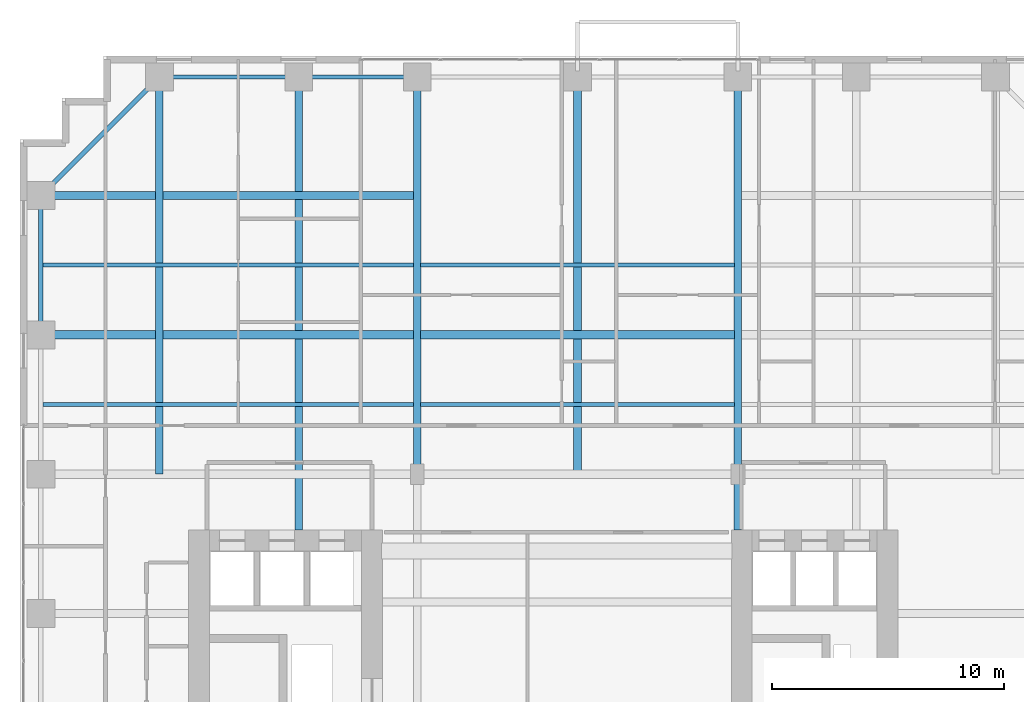
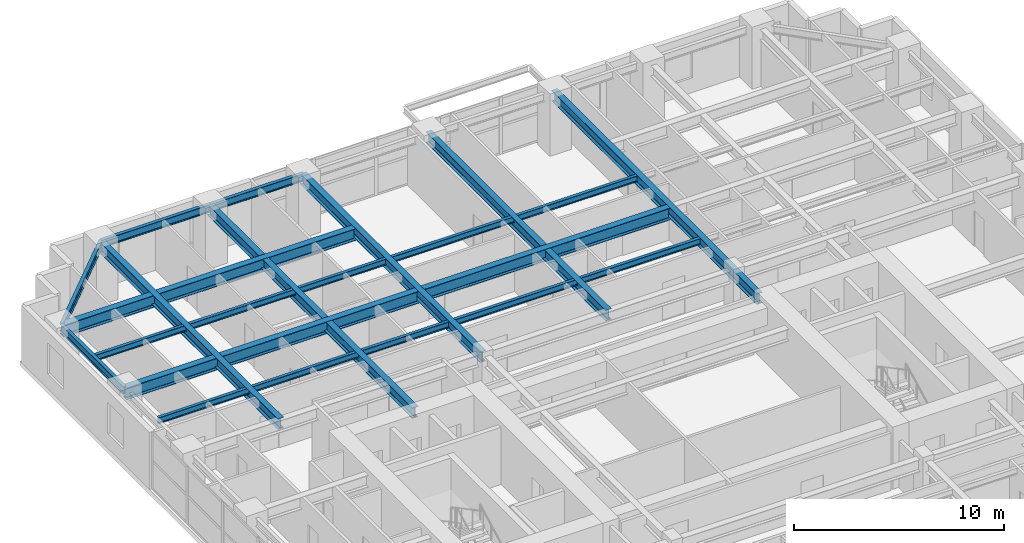
# One storey, part 13 of 24: 16 beams.
"""IFC4 building model written with IfcOpenShell, lengths in metres."""

from ifc_helpers import new_model, si_unit, direction, frame, origin, origin_2d, place, context, subcontext, project, spatial, i_section, extrude, source, transform, mapped, material, material_profile, profile_set, type_object, element, save


model = new_model("IFC4")

# Units and contexts
model_context = context("Model", 3, precision=1e-05, world=origin(), true_north=direction((0.0, 1.0)))
body_context = subcontext(model_context, "Body", "Model", "MODEL_VIEW")
ifc_project = project(units=[si_unit("LENGTHUNIT", "METRE"), si_unit("AREAUNIT", "SQUARE_METRE"), si_unit("VOLUMEUNIT", "CUBIC_METRE"), si_unit("PLANEANGLEUNIT", "RADIAN"), si_unit("MASSUNIT", "GRAM", prefix="KILO")], contexts=[model_context])

# Site, building, storey
site_placement = place(None, origin())
site = spatial("IfcSite", under=ifc_project, at=site_placement, CompositionType="ELEMENT")
building_placement = place(site_placement, origin())
building = spatial("IfcBuilding", under=site, at=building_placement, Name="Khoralis Quay Care Tower", CompositionType="ELEMENT")
storey_placement = place(building_placement, frame((0.0, 0.0, 54.89990234375)))
storey = spatial("IfcBuildingStorey", under=building, at=storey_placement, Name="L14", CompositionType="ELEMENT", Elevation=54.89990234375)

# Beams
ifc_material = material(Name="Steel S355", Category="steel")
ifc_material_profile_1 = material_profile(ifc_material, i_section(OverallWidth=0.18994140625, OverallDepth=0.449951171875, WebThickness=0.009521484375, FlangeThickness=0.0146484375, FilletRadius=0.02099609375, at=origin_2d()), Name="Steel S355")
ifc_profile_set_1 = profile_set([ifc_material_profile_1], Name="Steel S355")
beam_type_1 = type_object("IfcBeamType", Name="BM-IPE450", PredefinedType="SPANDREL", material=ifc_profile_set_1)
shared_shape_1 = source(origin(), body_context, "Body", "SweptSolid", [
    extrude(i_section(OverallWidth=0.18994140625, OverallDepth=0.449951171875, WebThickness=0.009521484375, FlangeThickness=0.0146484375, FilletRadius=0.02099609375, at=origin_2d()), origin(), (0.0, 0.0, 1.0), 6.0),
])
for number, where, z_axis, x_axis, name in (
    (1, (6.0, 47.10009765625, 3.09521484375), (1.0, 0.0, 0.0), (0.0, 1.0, 0.0), "BM-TSP-L14-07"),
    (2, (0.89990234375, 36.0, 3.09521484375), (0.0, 1.0, 0.0), (-1.0, 0.0, 0.0), "BM-TSP-L14-18"),
):
    element("IfcBeam", number, at=place(storey_placement, frame(where, z_axis=z_axis, x_axis=x_axis)), inside=storey, type_object=beam_type_1, Name=name, PredefinedType="SPANDREL", context=body_context, shape_type="MappedRepresentation", body=[
        mapped(shared_shape_1, transform((0.0, 0.0, 0.0), scale=1.0)),
    ])
shared_shape_2 = source(origin(), body_context, "Body", "SweptSolid", [
    extrude(i_section(OverallWidth=0.18994140625, OverallDepth=0.449951171875, WebThickness=0.009521484375, FlangeThickness=0.0146484375, FilletRadius=0.02099609375, at=origin_2d()), origin(), (0.0, 0.0, 1.0), 5.10009765625),
])
beam_1_placement = place(storey_placement, frame((12.0, 47.10009765625, 3.09521484375), z_axis=(1.0, 0.0, 0.0), x_axis=(0.0, 1.0, 0.0)))
element("IfcBeam", 3, at=beam_1_placement, inside=storey, type_object=beam_type_1, Name="BM-TSP-L14-08", PredefinedType="SPANDREL", context=body_context, shape_type="MappedRepresentation", body=[
    mapped(shared_shape_2, transform((0.0, 0.0, 0.0), scale=1.0)),
])
shared_shape_3 = source(origin(), body_context, "Body", "SweptSolid", [
    extrude(i_section(OverallWidth=0.18994140625, OverallDepth=0.449951171875, WebThickness=0.009521484375, FlangeThickness=0.0146484375, FilletRadius=0.02099609375, at=origin_2d()), origin(), (0.0, 0.0, 1.0), 7.212646484375),
])
beam_2_placement = place(storey_placement, frame((6.0, 47.10009765625, 3.09521484375), z_axis=(-0.707106781187, -0.707106781187, 0.0), x_axis=(0.707106781187, -0.707106781187, 0.0)))
element("IfcBeam", 4, at=beam_2_placement, inside=storey, type_object=beam_type_1, Name="BM-TCR-L14-27", PredefinedType="SPANDREL", context=body_context, shape_type="MappedRepresentation", body=[
    mapped(shared_shape_3, transform((0.0, 0.0, 0.0), scale=1.0)),
])
ifc_material_profile_2 = material_profile(ifc_material, i_section(OverallWidth=0.35498046875, OverallDepth=0.695068359375, WebThickness=0.015380859375, FlangeThickness=0.02490234375, FilletRadius=0.02001953125, at=origin_2d()), Name="Steel S355")
ifc_profile_set_2 = profile_set([ifc_material_profile_2], Name="Steel S355")
beam_type_2 = type_object("IfcBeamType", Name="BM-W690X217", PredefinedType="BEAM", material=ifc_profile_set_2)
shared_shape_4 = source(origin(), body_context, "Body", "SweptSolid", [
    extrude(i_section(OverallWidth=0.35498046875, OverallDepth=0.695068359375, WebThickness=0.015380859375, FlangeThickness=0.02490234375, FilletRadius=0.02001953125, at=origin_2d()), origin(), (0.0, 0.0, 1.0), 16.049560546875),
])
for number, where, z_axis, x_axis, name in (
    (5, (0.89990234375, 36.0, 2.97265625), (1.0, 0.0, 0.0), (0.0, 1.0, 0.0), "BM-TGXW-L14-360"),
    (6, (0.89990234375, 42.0, 2.97265625), (1.0, 0.0, 0.0), (0.0, 1.0, 0.0), "BM-TGXW-L14-420"),
):
    element("IfcBeam", number, at=place(storey_placement, frame(where, z_axis=z_axis, x_axis=x_axis)), inside=storey, type_object=beam_type_2, Name=name, PredefinedType="BEAM", context=body_context, shape_type="MappedRepresentation", body=[
        mapped(shared_shape_4, transform((0.0, 0.0, 0.0), scale=1.0)),
    ])
shared_shape_5 = source(origin(), body_context, "Body", "SweptSolid", [
    extrude(i_section(OverallWidth=0.35498046875, OverallDepth=0.695068359375, WebThickness=0.015380859375, FlangeThickness=0.02490234375, FilletRadius=0.02001953125, at=origin_2d()), origin(), (0.0, 0.0, 1.0), 13.4990234375),
])
beam_3_placement = place(storey_placement, frame((17.25048828125, 36.0, 2.97265625), z_axis=(1.0, 0.0, 0.0), x_axis=(0.0, 1.0, 0.0)))
element("IfcBeam", 7, at=beam_3_placement, inside=storey, type_object=beam_type_2, Name="BM-TGCC-L14-360", PredefinedType="BEAM", context=body_context, shape_type="MappedRepresentation", body=[
    mapped(shared_shape_5, transform((0.0, 0.0, 0.0), scale=1.0)),
])
ifc_material_profile_3 = material_profile(ifc_material, i_section(OverallWidth=0.324951171875, OverallDepth=0.615966796875, WebThickness=0.013916015625, FlangeThickness=0.021484375, FilletRadius=0.01806640625, at=origin_2d()), Name="Steel S355")
ifc_profile_set_3 = profile_set([ifc_material_profile_3], Name="Steel S355")
beam_type_3 = type_object("IfcBeamType", Name="BM-W610X174", PredefinedType="BEAM", material=ifc_profile_set_3)
shared_shape_6 = source(origin(), body_context, "Body", "SweptSolid", [
    extrude(i_section(OverallWidth=0.324951171875, OverallDepth=0.615966796875, WebThickness=0.013916015625, FlangeThickness=0.021484375, FilletRadius=0.01806640625, at=origin_2d()), origin(), (0.0, 0.0, 1.0), 17.10009765625),
])
for number, where, z_axis, x_axis, name in (
    (8, (6.0, 30.0, 3.01220703125), (0.0, 1.0, 0.0), (-1.0, 0.0, 0.0), "BM-TGYN-L14-60"),
    (9, (17.10009765625, 30.0, 3.01220703125), (0.0, 1.0, 0.0), (-1.0, 0.0, 0.0), "BM-TGYN-L14-171"),
    (10, (24.0, 30.0, 3.01220703125), (0.0, 1.0, 0.0), (-1.0, 0.0, 0.0), "BM-TGYN-L14-240"),
):
    element("IfcBeam", number, at=place(storey_placement, frame(where, z_axis=z_axis, x_axis=x_axis)), inside=storey, type_object=beam_type_3, Name=name, PredefinedType="BEAM", context=body_context, shape_type="MappedRepresentation", body=[
        mapped(shared_shape_6, transform((0.0, 0.0, 0.0), scale=1.0)),
    ])
shared_shape_7 = source(origin(), body_context, "Body", "SweptSolid", [
    extrude(i_section(OverallWidth=0.324951171875, OverallDepth=0.615966796875, WebThickness=0.013916015625, FlangeThickness=0.021484375, FilletRadius=0.01806640625, at=origin_2d()), origin(), (0.0, 0.0, 1.0), 19.502197265625),
])
for number, where, z_axis, x_axis, name in (
    (11, (12.0, 27.597900390625, 3.01220703125), (0.0, 1.0, 0.0), (-1.0, 0.0, 0.0), "BM-TGYN-L14-120"),
    (12, (30.89990234375, 27.597900390625, 3.01220703125), (0.0, 1.0, 0.0), (-1.0, 0.0, 0.0), "BM-TGYN-L14-309"),
):
    element("IfcBeam", number, at=place(storey_placement, frame(where, z_axis=z_axis, x_axis=x_axis)), inside=storey, type_object=beam_type_3, Name=name, PredefinedType="BEAM", context=body_context, shape_type="MappedRepresentation", body=[
        mapped(shared_shape_7, transform((0.0, 0.0, 0.0), scale=1.0)),
    ])
ifc_material_profile_4 = material_profile(ifc_material, i_section(OverallWidth=0.1708984375, OverallDepth=0.35498046875, WebThickness=0.007080078125, FlangeThickness=0.01171875, FilletRadius=0.012939453125, at=origin_2d()), Name="Steel S355")
ifc_profile_set_4 = profile_set([ifc_material_profile_4], Name="Steel S355")
beam_type_4 = type_object("IfcBeamType", Name="BM-W360X51", PredefinedType="JOIST", material=ifc_profile_set_4)
shared_shape_8 = source(origin(), body_context, "Body", "SweptSolid", [
    extrude(i_section(OverallWidth=0.1708984375, OverallDepth=0.35498046875, WebThickness=0.007080078125, FlangeThickness=0.01171875, FilletRadius=0.012939453125, at=origin_2d()), origin(), (0.0, 0.0, 1.0), 15.968505859375),
])
for number, where, z_axis, x_axis, name in (
    (13, (0.98095703125, 33.0, 3.142578125), (1.0, 0.0, 0.0), (0.0, 1.0, 0.0), "BM-TJS-L14-32"),
    (14, (0.98095703125, 39.0, 3.142578125), (1.0, 0.0, 0.0), (0.0, 1.0, 0.0), "BM-TJS-L14-35"),
):
    element("IfcBeam", number, at=place(storey_placement, frame(where, z_axis=z_axis, x_axis=x_axis)), inside=storey, type_object=beam_type_4, Name=name, PredefinedType="JOIST", context=body_context, shape_type="MappedRepresentation", body=[
        mapped(shared_shape_8, transform((0.0, 0.0, 0.0), scale=1.0)),
    ])
shared_shape_9 = source(origin(), body_context, "Body", "SweptSolid", [
    extrude(i_section(OverallWidth=0.1708984375, OverallDepth=0.35498046875, WebThickness=0.007080078125, FlangeThickness=0.01171875, FilletRadius=0.012939453125, at=origin_2d()), origin(), (0.0, 0.0, 1.0), 13.4990234375),
])
for number, where, z_axis, x_axis, name in (
    (15, (17.25048828125, 33.0, 3.142578125), (1.0, 0.0, 0.0), (0.0, 1.0, 0.0), "BM-TJS-L14-34"),
    (16, (17.25048828125, 39.0, 3.142578125), (1.0, 0.0, 0.0), (0.0, 1.0, 0.0), "BM-TJS-L14-37"),
):
    element("IfcBeam", number, at=place(storey_placement, frame(where, z_axis=z_axis, x_axis=x_axis)), inside=storey, type_object=beam_type_4, Name=name, PredefinedType="JOIST", context=body_context, shape_type="MappedRepresentation", body=[
        mapped(shared_shape_9, transform((0.0, 0.0, 0.0), scale=1.0)),
    ])

save(model, "model.ifc")
